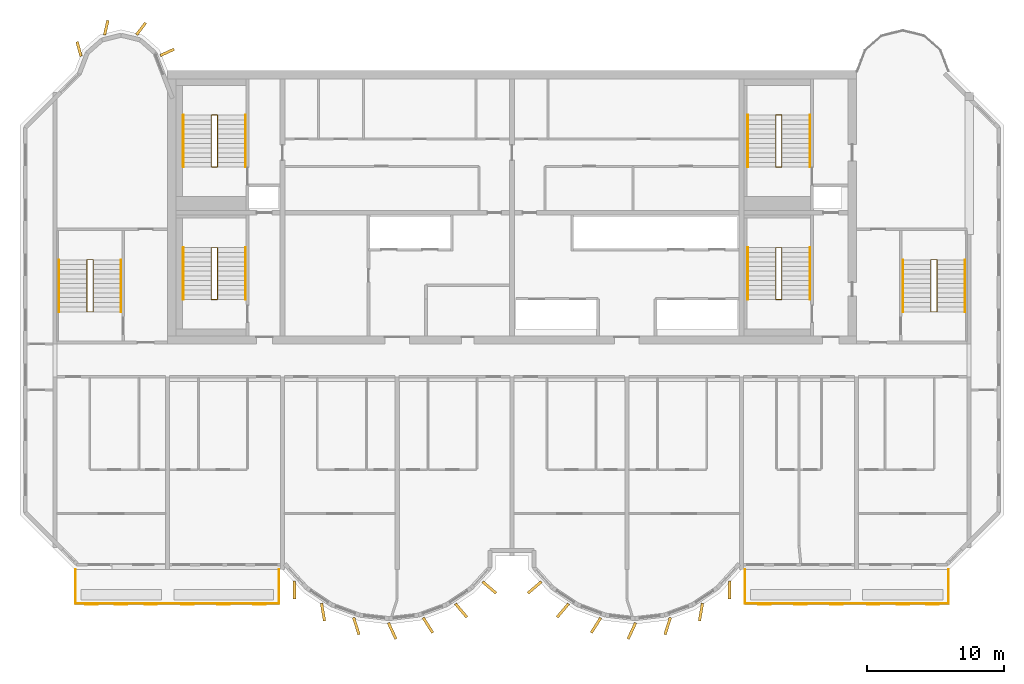
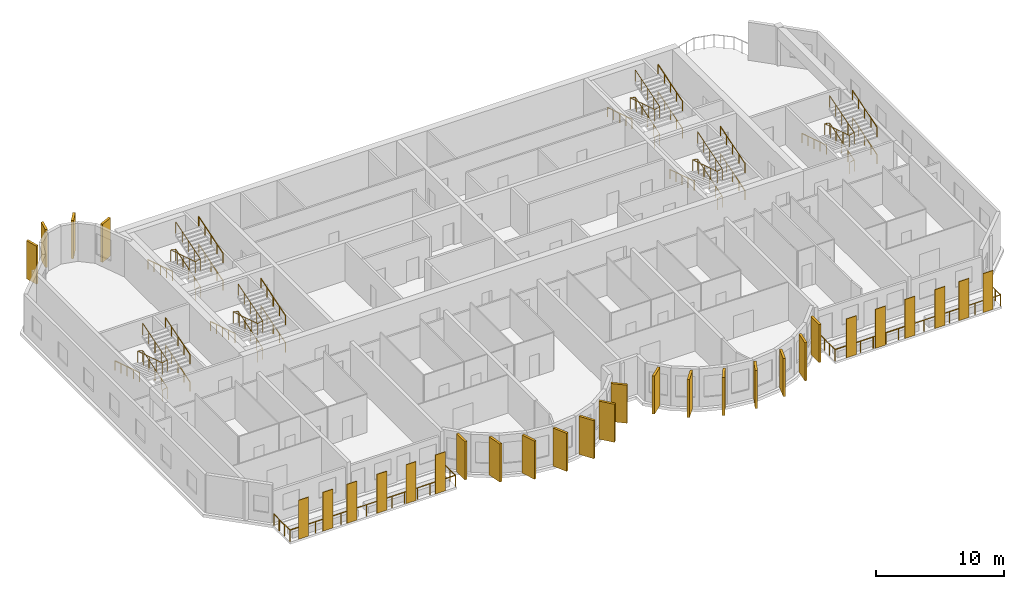
# One storey, part 10 of 12: 30 coverings, 26 railings.
"""IFC4 building model written with IfcOpenShell, lengths in metres."""

from ifc_helpers import new_model, si_unit, direction, frame, origin, origin_2d, place, context, subcontext, project, spatial, rectangle, circle, extrude, source, transform, mapped, material, layer, layer_set, material_profile, profile_set, type_object, element, save


model = new_model("IFC4")

# Units and contexts
model_context = context("Model", 3, precision=1e-05, world=origin(), true_north=direction((0.0, 1.0)))
body_context = subcontext(model_context, "Body", "Model", "MODEL_VIEW")
ifc_project = project(units=[si_unit("LENGTHUNIT", "METRE"), si_unit("AREAUNIT", "SQUARE_METRE"), si_unit("VOLUMEUNIT", "CUBIC_METRE"), si_unit("PLANEANGLEUNIT", "RADIAN"), si_unit("MASSUNIT", "GRAM", prefix="KILO")], contexts=[model_context])

# Site, building, storey
site_placement = place(None, origin())
site = spatial("IfcSite", under=ifc_project, at=site_placement, CompositionType="ELEMENT")
building_placement = place(site_placement, origin())
building = spatial("IfcBuilding", under=site, at=building_placement, Name="Vanashikhar Sky Hotel", CompositionType="ELEMENT")
storey_placement = place(building_placement, frame((0.0, 0.0, 253.0)))
storey = spatial("IfcBuildingStorey", under=building, at=storey_placement, Name="L61", CompositionType="ELEMENT", Elevation=253.0)

# Railings
ifc_material_1 = material(Name="Stainless steel 316", Category="steel")
railing_type_1 = type_object("IfcRailingType", Name="Balcony guard 1100", PredefinedType="GUARDRAIL", material=ifc_material_1)
shared_shape_1 = source(origin(), body_context, "Body", "SweptSolid", [
    extrude(circle(Radius=0.02392578125, at=origin_2d()), frame((0.0, 0.0, 1.076171875), z_axis=(0.0, -1.0, 0.0), x_axis=(1.0, 0.0, 0.0)), (0.0, 0.0, 1.0), 2.5),
    extrude(circle(Radius=0.02392578125, at=origin_2d()), frame((0.0, -2.5, 1.076171875), z_axis=(1.0, 0.0, 0.0), x_axis=(0.0, 1.0, 0.0)), (0.0, 0.0, 1.0), 14.880126953125),
    extrude(circle(Radius=0.02392578125, at=origin_2d()), frame((14.880126953125, -2.5, 1.076171875), z_axis=(0.0, 1.0, 0.0), x_axis=(-1.0, 0.0, 0.0)), (0.0, 0.0, 1.0), 2.5),
    extrude(circle(Radius=0.02099609375, at=origin_2d()), origin(), (0.0, 0.0, 1.0), 1.052001953125),
    extrude(circle(Radius=0.02099609375, at=origin_2d()), frame((0.0, -0.833251953125, 0.0)), (0.0, 0.0, 1.0), 1.052001953125),
    extrude(circle(Radius=0.02099609375, at=origin_2d()), frame((0.0, -1.666748046875, 0.0)), (0.0, 0.0, 1.0), 1.052001953125),
    extrude(circle(Radius=0.02099609375, at=origin_2d()), frame((0.0, -2.5, 0.0)), (0.0, 0.0, 1.0), 1.052001953125),
    extrude(circle(Radius=0.02099609375, at=origin_2d()), frame((1.14453125, -2.5, 0.0)), (0.0, 0.0, 1.0), 1.052001953125),
    extrude(circle(Radius=0.02099609375, at=origin_2d()), frame((2.289306640625, -2.5, 0.0)), (0.0, 0.0, 1.0), 1.052001953125),
    extrude(circle(Radius=0.02099609375, at=origin_2d()), frame((3.433837890625, -2.5, 0.0)), (0.0, 0.0, 1.0), 1.052001953125),
    extrude(circle(Radius=0.02099609375, at=origin_2d()), frame((4.57861328125, -2.5, 0.0)), (0.0, 0.0, 1.0), 1.052001953125),
    extrude(circle(Radius=0.02099609375, at=origin_2d()), frame((5.72314453125, -2.5, 0.0)), (0.0, 0.0, 1.0), 1.052001953125),
    extrude(circle(Radius=0.02099609375, at=origin_2d()), frame((6.86767578125, -2.5, 0.0)), (0.0, 0.0, 1.0), 1.052001953125),
    extrude(circle(Radius=0.02099609375, at=origin_2d()), frame((8.012451171875, -2.5, 0.0)), (0.0, 0.0, 1.0), 1.052001953125),
    extrude(circle(Radius=0.02099609375, at=origin_2d()), frame((9.156982421875, -2.5, 0.0)), (0.0, 0.0, 1.0), 1.052001953125),
    extrude(circle(Radius=0.02099609375, at=origin_2d()), frame((10.301513671875, -2.5, 0.0)), (0.0, 0.0, 1.0), 1.052001953125),
    extrude(circle(Radius=0.02099609375, at=origin_2d()), frame((11.4462890625, -2.5, 0.0)), (0.0, 0.0, 1.0), 1.052001953125),
    extrude(circle(Radius=0.02099609375, at=origin_2d()), frame((12.5908203125, -2.5, 0.0)), (0.0, 0.0, 1.0), 1.052001953125),
    extrude(circle(Radius=0.02099609375, at=origin_2d()), frame((13.735595703125, -2.5, 0.0)), (0.0, 0.0, 1.0), 1.052001953125),
    extrude(circle(Radius=0.02099609375, at=origin_2d()), frame((14.880126953125, -2.5, 0.0)), (0.0, 0.0, 1.0), 1.052001953125),
    extrude(circle(Radius=0.02099609375, at=origin_2d()), frame((14.880126953125, -1.666748046875, 0.0)), (0.0, 0.0, 1.0), 1.052001953125),
    extrude(circle(Radius=0.02099609375, at=origin_2d()), frame((14.880126953125, -0.833251953125, 0.0)), (0.0, 0.0, 1.0), 1.052001953125),
    extrude(circle(Radius=0.02099609375, at=origin_2d()), frame((14.880126953125, 0.0, 0.0)), (0.0, 0.0, 1.0), 1.052001953125),
])
for number, where, name in (
    (1, (18.4599609375, 5.5, -0.050048828125), "Balcony guard"),
    (2, (67.4599609375, 5.5, -0.050048828125), "Balcony guard"),
):
    element("IfcRailing", number, at=place(storey_placement, frame(where)), inside=storey, type_object=railing_type_1, Name=name, PredefinedType="GUARDRAIL", context=body_context, shape_type="MappedRepresentation", body=[
        mapped(shared_shape_1, transform((0.0, 0.0, 0.0), scale=1.0)),
    ])

# Coverings
ifc_material_2 = material(Name="Terracotta", Category="masonry")
ifc_layer = layer(ifc_material_2, 0.06005859375)
ifc_layer_set = layer_set([ifc_layer], Name="Terracotta baguette screen")
covering_type_1 = type_object("IfcCoveringType", Name="Terracotta baguette screen", PredefinedType="CLADDING", material=ifc_layer_set)
shared_shape_2 = source(origin(), body_context, "Body", "SweptSolid", [
    extrude(rectangle(XDim=0.89990234375, YDim=0.06005859375, at=origin_2d()), origin(), (0.0, 0.0, 1.0), 3.699951171875),
])
for number, where, z_axis, x_axis, name in (
    (3, (19.63330078125, 2.929931640625, -0.0498046875), (0.0, 0.0, 1.0), (1.0, 0.0, 0.0), "Terracotta screen"),
    (4, (21.800048828125, 2.929931640625, -0.0498046875), (0.0, 0.0, 1.0), (1.0, 0.0, 0.0), "Terracotta screen"),
    (5, (23.966796875, 2.929931640625, -0.0498046875), (0.0, 0.0, 1.0), (1.0, 0.0, 0.0), "Terracotta screen"),
    (6, (26.666748046875, 2.929931640625, -0.0498046875), (0.0, 0.0, 1.0), (1.0, 0.0, 0.0), "Terracotta screen"),
    (7, (29.300048828125, 2.929931640625, -0.0498046875), (0.0, 0.0, 1.0), (1.0, 0.0, 0.0), "Terracotta screen"),
    (8, (31.933349609375, 2.929931640625, -0.0498046875), (0.0, 0.0, 1.0), (1.0, 0.0, 0.0), "Terracotta screen"),
    (9, (68.86669921875, 2.929931640625, -0.0498046875), (0.0, 0.0, 1.0), (1.0, 0.0, 0.0), "Terracotta screen"),
    (10, (71.5, 2.929931640625, -0.0498046875), (0.0, 0.0, 1.0), (1.0, 0.0, 0.0), "Terracotta screen"),
    (11, (74.13330078125, 2.929931640625, -0.0498046875), (0.0, 0.0, 1.0), (1.0, 0.0, 0.0), "Terracotta screen"),
    (12, (76.833251953125, 2.929931640625, -0.0498046875), (0.0, 0.0, 1.0), (1.0, 0.0, 0.0), "Terracotta screen"),
    (13, (79.0, 2.929931640625, -0.0498046875), (0.0, 0.0, 1.0), (1.0, 0.0, 0.0), "Terracotta screen"),
    (14, (81.166748046875, 2.929931640625, -0.0498046875), (0.0, 0.0, 1.0), (1.0, 0.0, 0.0), "Terracotta screen"),
):
    element("IfcCovering", number, at=place(storey_placement, frame(where, z_axis=z_axis, x_axis=x_axis)), inside=storey, type_object=covering_type_1, Name=name, PredefinedType="CLADDING", context=body_context, shape_type="MappedRepresentation", body=[
        mapped(shared_shape_2, transform((0.0, 0.0, 0.0), scale=1.0)),
    ])
ifc_material_3 = material(Name="Concrete M60 dark", Category="concrete")
ifc_material_profile_1 = material_profile(ifc_material_3, rectangle(XDim=1.300048828125, YDim=0.199951171875, at=origin_2d()))
ifc_profile_set_1 = profile_set([ifc_material_profile_1], Name="Fin 1300 x 200")
covering_type_2 = type_object("IfcCoveringType", Name="Fin 1300 x 200", PredefinedType="CLADDING", material=ifc_profile_set_1)
shared_shape_3 = source(origin(), body_context, "Body", "SweptSolid", [
    extrude(rectangle(XDim=1.300048828125, YDim=0.199951171875, at=origin_2d()), origin(), (0.0, 0.0, 1.0), 3.6201171875),
])
for number, where, z_axis, x_axis, name in (
    (15, (34.482421875, 3.992919921875, 0.0), (0.0, 0.0, 1.0), (0.011588726826, -0.999932848451, 0.0), "Fin F1-1"),
    (16, (36.572509765625, 2.3779296875, 0.0), (0.0, 0.0, 1.0), (0.16989991575, -0.985461322746, 0.0), "Fin F1-2"),
    (17, (39.00830078125, 1.35693359375, 0.0), (0.0, 0.0, 1.0), (0.303966551867, -0.952682704444, 0.0), "Fin F1-3"),
    (18, (41.63232421875, 1.00146484375, 0.0), (0.0, 0.0, 1.0), (0.422618261741, -0.906307787037, 0.0), "Fin F1-4"),
    (19, (44.251953125, 1.416015625, 0.0), (0.0, 0.0, 1.0), (0.534411358496, -0.845224526331, 0.0), "Fin F1-5"),
    (20, (46.676025390625, 2.5, 0.0), (0.0, 0.0, 1.0), (0.645697609467, -0.763593214433, 0.0), "Fin F1-6"),
    (21, (48.7412109375, 4.1845703125, 0.0), (0.0, 0.0, 1.0), (0.758543912032, -0.65162192529, 0.0), "Fin F1-7"),
    (22, (52.058837890625, 4.1845703125, 0.0), (0.0, 0.0, 1.0), (-0.758543912032, -0.65162192529, 0.0), "Fin F2-1"),
    (23, (54.123779296875, 2.5, 0.0), (0.0, 0.0, 1.0), (-0.645697609467, -0.763593214433, 0.0), "Fin F2-2"),
    (24, (56.547119140625, 1.416015625, 0.0), (0.0, 0.0, 1.0), (-0.534411358496, -0.845224526331, 0.0), "Fin F2-3"),
    (25, (59.16748046875, 1.00146484375, 0.0), (0.0, 0.0, 1.0), (-0.422618261741, -0.906307787037, 0.0), "Fin F2-4"),
    (26, (61.790771484375, 1.35693359375, 0.0), (0.0, 0.0, 1.0), (-0.303966551867, -0.952682704444, 0.0), "Fin F2-5"),
    (27, (64.2275390625, 2.3779296875, 0.0), (0.0, 0.0, 1.0), (-0.16989991575, -0.985461322746, 0.0), "Fin F2-6"),
    (28, (66.317626953125, 3.992919921875, 0.0), (0.0, 0.0, 1.0), (-0.011588726826, -0.999932848451, 0.0), "Fin F2-7"),
):
    element("IfcCovering", number, at=place(storey_placement, frame(where, z_axis=z_axis, x_axis=x_axis)), inside=storey, type_object=covering_type_2, Name=name, PredefinedType="CLADDING", context=body_context, shape_type="MappedRepresentation", body=[
        mapped(shared_shape_3, transform((0.0, 0.0, 0.0), scale=1.0)),
    ])
ifc_material_profile_2 = material_profile(ifc_material_3, rectangle(XDim=1.10009765625, YDim=0.199951171875, at=origin_2d()))
ifc_profile_set_2 = profile_set([ifc_material_profile_2], Name="Rear lobe fin 1100 x 200")
covering_type_3 = type_object("IfcCoveringType", Name="Rear lobe fin 1100 x 200", PredefinedType="CLADDING", material=ifc_profile_set_2)
shared_shape_4 = source(origin(), body_context, "Body", "SweptSolid", [
    extrude(rectangle(XDim=1.10009765625, YDim=0.199951171875, at=origin_2d()), origin(), (0.0, 0.0, 1.0), 3.6201171875),
])
for number, where, z_axis, x_axis, name in (
    (29, (18.720703125, 43.580078125, 0.0), (0.0, 0.0, 1.0), (-0.262711264409, 0.964874495234, 0.0), "Fin R1-1"),
    (30, (20.710205078125, 45.1455078125, 0.0), (0.0, 0.0, 1.0), (0.224644935864, 0.974440687159, 0.0), "Fin R1-2"),
    (31, (23.261962890625, 45.06640625, 0.0), (0.0, 0.0, 1.0), (0.602065892195, 0.798446404874, 0.0), "Fin R1-3"),
    (32, (25.169677734375, 43.33447265625, 0.0), (0.0, 0.0, 1.0), (0.908004291068, 0.418960866193, 0.0), "Fin R1-4"),
):
    element("IfcCovering", number, at=place(storey_placement, frame(where, z_axis=z_axis, x_axis=x_axis)), inside=storey, type_object=covering_type_3, Name=name, PredefinedType="CLADDING", context=body_context, shape_type="MappedRepresentation", body=[
        mapped(shared_shape_4, transform((0.0, 0.0, 0.0), scale=1.0)),
    ])

# Railings
ifc_material_4 = material(Name="Steel S355", Category="steel")
railing_type_2 = type_object("IfcRailingType", Name="Stair guard 1100", PredefinedType="GUARDRAIL", material=ifc_material_4)
shared_shape_5 = source(origin(), body_context, "Body", "SweptSolid", [
    extrude(circle(Radius=0.02392578125, at=origin_2d()), frame((0.0, 0.0, 1.076171875), z_axis=(0.972214749574, 0.0, 0.234090753151), x_axis=(0.0, 1.0, 0.0)), (0.0, 0.0, 1.0), 0.463134765625),
    extrude(circle(Radius=0.02392578125, at=origin_2d()), frame((0.4501953125, 0.0, 1.1845703125), z_axis=(0.0, 0.95418390146, 0.299220791714), x_axis=(-1.0, 0.0, 0.0)), (0.0, 0.0, 1.0), 3.982421875),
    extrude(circle(Radius=0.02392578125, at=origin_2d()), frame((0.4501953125, 3.800048828125, 2.3759765625), z_axis=(-0.972214749574, 0.0, 0.234090753151), x_axis=(0.0, -1.0, 0.0)), (0.0, 0.0, 1.0), 0.463134765625),
    extrude(circle(Radius=0.02392578125, at=origin_2d()), frame((0.0, 3.800048828125, 2.484375), z_axis=(0.0, -0.95418390146, 0.299220791714), x_axis=(1.0, 0.0, 0.0)), (0.0, 0.0, 1.0), 3.982421875),
    extrude(circle(Radius=0.02392578125, at=origin_2d()), frame((0.0, 0.0, 3.67626953125), z_axis=(0.972334627364, 0.0, 0.233592320999), x_axis=(0.0, 1.0, 0.0)), (0.0, 0.0, 1.0), 0.462890625),
    extrude(circle(Radius=0.02392578125, at=origin_2d()), frame((0.4501953125, 0.0, 3.7841796875), z_axis=(0.0, 0.95418390146, 0.299220791714), x_axis=(-1.0, 0.0, 0.0)), (0.0, 0.0, 1.0), 3.982421875),
    extrude(circle(Radius=0.02099609375, at=origin_2d()), origin(), (0.0, 0.0, 1.0), 1.052001953125),
    extrude(circle(Radius=0.02099609375, at=origin_2d()), frame((0.4501953125, 0.0, 0.1083984375)), (0.0, 0.0, 1.0), 1.052001953125),
    extrude(circle(Radius=0.02099609375, at=origin_2d()), frame((0.4501953125, 0.949951171875, 0.40625)), (0.0, 0.0, 1.0), 1.052001953125),
    extrude(circle(Radius=0.02099609375, at=origin_2d()), frame((0.4501953125, 1.89990234375, 0.7041015625)), (0.0, 0.0, 1.0), 1.052001953125),
    extrude(circle(Radius=0.02099609375, at=origin_2d()), frame((0.4501953125, 2.85009765625, 1.002197265625)), (0.0, 0.0, 1.0), 1.052001953125),
    extrude(circle(Radius=0.02099609375, at=origin_2d()), frame((0.4501953125, 3.800048828125, 1.300048828125)), (0.0, 0.0, 1.0), 1.052001953125),
    extrude(circle(Radius=0.02099609375, at=origin_2d()), frame((0.0, 3.800048828125, 1.408447265625)), (0.0, 0.0, 1.0), 1.052001953125),
    extrude(circle(Radius=0.02099609375, at=origin_2d()), frame((0.0, 2.85009765625, 1.706298828125)), (0.0, 0.0, 1.0), 1.052001953125),
    extrude(circle(Radius=0.02099609375, at=origin_2d()), frame((0.0, 1.89990234375, 2.00439453125)), (0.0, 0.0, 1.0), 1.052001953125),
    extrude(circle(Radius=0.02099609375, at=origin_2d()), frame((0.0, 0.949951171875, 2.30224609375)), (0.0, 0.0, 1.0), 1.052001953125),
    extrude(circle(Radius=0.02099609375, at=origin_2d()), frame((0.0, 0.0, 2.60009765625)), (0.0, 0.0, 1.0), 1.052001953125),
    extrude(circle(Radius=0.02099609375, at=origin_2d()), frame((0.4501953125, 0.0, 2.708251953125)), (0.0, 0.0, 1.0), 1.052001953125),
    extrude(circle(Radius=0.02099609375, at=origin_2d()), frame((0.4501953125, 0.949951171875, 3.006103515625)), (0.0, 0.0, 1.0), 1.052001953125),
    extrude(circle(Radius=0.02099609375, at=origin_2d()), frame((0.4501953125, 1.89990234375, 3.30419921875)), (0.0, 0.0, 1.0), 1.052001953125),
    extrude(circle(Radius=0.02099609375, at=origin_2d()), frame((0.4501953125, 2.85009765625, 3.60205078125)), (0.0, 0.0, 1.0), 1.052001953125),
    extrude(circle(Radius=0.02099609375, at=origin_2d()), frame((0.4501953125, 3.800048828125, 3.89990234375)), (0.0, 0.0, 1.0), 1.052001953125),
])
for number, where, name in (
    (33, (28.39990234375, 25.25, 0.0), "Exit stair 1 guard"),
    (34, (28.39990234375, 34.949951171875, 0.0), "Exit stair 5 guard"),
):
    element("IfcRailing", number, at=place(storey_placement, frame(where)), inside=storey, type_object=railing_type_2, Name=name, PredefinedType="GUARDRAIL", context=body_context, shape_type="MappedRepresentation", body=[
        mapped(shared_shape_5, transform((0.0, 0.0, 0.0), scale=1.0)),
    ])
railing_type_3 = type_object("IfcRailingType", Name="Stair handrail 900", PredefinedType="HANDRAIL", material=ifc_material_4)
shared_shape_6 = source(origin(), body_context, "Body", "SweptSolid", [
    extrude(circle(Radius=0.02392578125, at=origin_2d()), frame((0.0, 0.0, 0.8759765625), z_axis=(0.0, 0.95418390146, 0.299220791714), x_axis=(-1.0, 0.0, 0.0)), (0.0, 0.0, 1.0), 3.982421875),
    extrude(circle(Radius=0.02099609375, at=origin_2d()), origin(), (0.0, 0.0, 1.0), 0.851806640625),
    extrude(circle(Radius=0.02099609375, at=origin_2d()), frame((0.0, 0.949951171875, 0.2978515625)), (0.0, 0.0, 1.0), 0.851806640625),
    extrude(circle(Radius=0.02099609375, at=origin_2d()), frame((0.0, 1.89990234375, 0.595703125)), (0.0, 0.0, 1.0), 0.851806640625),
    extrude(circle(Radius=0.02099609375, at=origin_2d()), frame((0.0, 2.85009765625, 0.893798828125)), (0.0, 0.0, 1.0), 0.851806640625),
    extrude(circle(Radius=0.02099609375, at=origin_2d()), frame((0.0, 3.800048828125, 1.191650390625)), (0.0, 0.0, 1.0), 0.851806640625),
])
for number, where, name in (
    (35, (30.89990234375, 25.25, 0.1083984375), "Exit stair 1 handrail"),
    (36, (30.89990234375, 25.25, 2.708251953125), "Exit stair 1 handrail"),
    (37, (72.199951171875, 25.25, 0.1083984375), "Exit stair 2 handrail"),
    (38, (72.199951171875, 25.25, 2.708251953125), "Exit stair 2 handrail"),
    (39, (30.89990234375, 34.949951171875, 0.1083984375), "Exit stair 5 handrail"),
    (40, (30.89990234375, 34.949951171875, 2.708251953125), "Exit stair 5 handrail"),
    (41, (72.199951171875, 34.949951171875, 0.1083984375), "Exit stair 6 handrail"),
    (42, (72.199951171875, 34.949951171875, 2.708251953125), "Exit stair 6 handrail"),
):
    element("IfcRailing", number, at=place(storey_placement, frame(where)), inside=storey, type_object=railing_type_3, Name=name, PredefinedType="HANDRAIL", context=body_context, shape_type="MappedRepresentation", body=[
        mapped(shared_shape_6, transform((0.0, 0.0, 0.0), scale=1.0)),
    ])
shared_shape_7 = source(origin(), body_context, "Body", "SweptSolid", [
    extrude(circle(Radius=0.02392578125, at=origin_2d()), frame((0.0, 0.0, 0.8759765625), z_axis=(0.0, -0.95418390146, 0.299220791714), x_axis=(1.0, 0.0, 0.0)), (0.0, 0.0, 1.0), 3.982421875),
    extrude(circle(Radius=0.02099609375, at=origin_2d()), origin(), (0.0, 0.0, 1.0), 0.851806640625),
    extrude(circle(Radius=0.02099609375, at=origin_2d()), frame((0.0, -0.949951171875, 0.2978515625)), (0.0, 0.0, 1.0), 0.851806640625),
    extrude(circle(Radius=0.02099609375, at=origin_2d()), frame((0.0, -1.89990234375, 0.595703125)), (0.0, 0.0, 1.0), 0.851806640625),
    extrude(circle(Radius=0.02099609375, at=origin_2d()), frame((0.0, -2.85009765625, 0.893798828125)), (0.0, 0.0, 1.0), 0.851806640625),
    extrude(circle(Radius=0.02099609375, at=origin_2d()), frame((0.0, -3.800048828125, 1.191650390625)), (0.0, 0.0, 1.0), 0.851806640625),
])
for number, where, name in (
    (43, (26.35009765625, 29.050048828125, 1.408447265625), "Exit stair 1 handrail"),
    (44, (67.64990234375, 29.050048828125, 1.408447265625), "Exit stair 2 handrail"),
    (45, (26.35009765625, 38.75, 1.408447265625), "Exit stair 5 handrail"),
    (46, (67.64990234375, 38.75, 1.408447265625), "Exit stair 6 handrail"),
):
    element("IfcRailing", number, at=place(storey_placement, frame(where)), inside=storey, type_object=railing_type_3, Name=name, PredefinedType="HANDRAIL", context=body_context, shape_type="MappedRepresentation", body=[
        mapped(shared_shape_7, transform((0.0, 0.0, 0.0), scale=1.0)),
    ])
shared_shape_8 = source(origin(), body_context, "Body", "SweptSolid", [
    extrude(circle(Radius=0.02392578125, at=origin_2d()), frame((0.0, 0.0, 1.076171875), z_axis=(0.972185835864, 0.0, 0.234210803648), x_axis=(0.0, 1.0, 0.0)), (0.0, 0.0, 1.0), 0.462890625),
    extrude(circle(Radius=0.02392578125, at=origin_2d()), frame((0.449951171875, 0.0, 1.1845703125), z_axis=(0.0, 0.95418390146, 0.299220791714), x_axis=(-1.0, 0.0, 0.0)), (0.0, 0.0, 1.0), 3.982421875),
    extrude(circle(Radius=0.02392578125, at=origin_2d()), frame((0.449951171875, 3.800048828125, 2.3759765625), z_axis=(-0.972185835864, 0.0, 0.234210803648), x_axis=(0.0, -1.0, 0.0)), (0.0, 0.0, 1.0), 0.462890625),
    extrude(circle(Radius=0.02392578125, at=origin_2d()), frame((0.0, 3.800048828125, 2.484375), z_axis=(0.0, -0.95418390146, 0.299220791714), x_axis=(1.0, 0.0, 0.0)), (0.0, 0.0, 1.0), 3.982421875),
    extrude(circle(Radius=0.02392578125, at=origin_2d()), frame((0.0, 0.0, 3.67626953125), z_axis=(0.972305833095, 0.0, 0.233712145448), x_axis=(0.0, 1.0, 0.0)), (0.0, 0.0, 1.0), 0.462646484375),
    extrude(circle(Radius=0.02392578125, at=origin_2d()), frame((0.449951171875, 0.0, 3.7841796875), z_axis=(0.0, 0.95418390146, 0.299220791714), x_axis=(-1.0, 0.0, 0.0)), (0.0, 0.0, 1.0), 3.982421875),
    extrude(circle(Radius=0.02099609375, at=origin_2d()), origin(), (0.0, 0.0, 1.0), 1.052001953125),
    extrude(circle(Radius=0.02099609375, at=origin_2d()), frame((0.449951171875, 0.0, 0.1083984375)), (0.0, 0.0, 1.0), 1.052001953125),
    extrude(circle(Radius=0.02099609375, at=origin_2d()), frame((0.449951171875, 0.949951171875, 0.40625)), (0.0, 0.0, 1.0), 1.052001953125),
    extrude(circle(Radius=0.02099609375, at=origin_2d()), frame((0.449951171875, 1.89990234375, 0.7041015625)), (0.0, 0.0, 1.0), 1.052001953125),
    extrude(circle(Radius=0.02099609375, at=origin_2d()), frame((0.449951171875, 2.85009765625, 1.002197265625)), (0.0, 0.0, 1.0), 1.052001953125),
    extrude(circle(Radius=0.02099609375, at=origin_2d()), frame((0.449951171875, 3.800048828125, 1.300048828125)), (0.0, 0.0, 1.0), 1.052001953125),
    extrude(circle(Radius=0.02099609375, at=origin_2d()), frame((0.0, 3.800048828125, 1.408447265625)), (0.0, 0.0, 1.0), 1.052001953125),
    extrude(circle(Radius=0.02099609375, at=origin_2d()), frame((0.0, 2.85009765625, 1.706298828125)), (0.0, 0.0, 1.0), 1.052001953125),
    extrude(circle(Radius=0.02099609375, at=origin_2d()), frame((0.0, 1.89990234375, 2.00439453125)), (0.0, 0.0, 1.0), 1.052001953125),
    extrude(circle(Radius=0.02099609375, at=origin_2d()), frame((0.0, 0.949951171875, 2.30224609375)), (0.0, 0.0, 1.0), 1.052001953125),
    extrude(circle(Radius=0.02099609375, at=origin_2d()), frame((0.0, 0.0, 2.60009765625)), (0.0, 0.0, 1.0), 1.052001953125),
    extrude(circle(Radius=0.02099609375, at=origin_2d()), frame((0.449951171875, 0.0, 2.708251953125)), (0.0, 0.0, 1.0), 1.052001953125),
    extrude(circle(Radius=0.02099609375, at=origin_2d()), frame((0.449951171875, 0.949951171875, 3.006103515625)), (0.0, 0.0, 1.0), 1.052001953125),
    extrude(circle(Radius=0.02099609375, at=origin_2d()), frame((0.449951171875, 1.89990234375, 3.30419921875)), (0.0, 0.0, 1.0), 1.052001953125),
    extrude(circle(Radius=0.02099609375, at=origin_2d()), frame((0.449951171875, 2.85009765625, 3.60205078125)), (0.0, 0.0, 1.0), 1.052001953125),
    extrude(circle(Radius=0.02099609375, at=origin_2d()), frame((0.449951171875, 3.800048828125, 3.89990234375)), (0.0, 0.0, 1.0), 1.052001953125),
])
for number, where, name in (
    (47, (69.699951171875, 25.25, 0.0), "Exit stair 2 guard"),
    (48, (69.699951171875, 34.949951171875, 0.0), "Exit stair 6 guard"),
):
    element("IfcRailing", number, at=place(storey_placement, frame(where)), inside=storey, type_object=railing_type_2, Name=name, PredefinedType="GUARDRAIL", context=body_context, shape_type="MappedRepresentation", body=[
        mapped(shared_shape_8, transform((0.0, 0.0, 0.0), scale=1.0)),
    ])
shared_shape_9 = source(origin(), body_context, "Body", "SweptSolid", [
    extrude(circle(Radius=0.02392578125, at=origin_2d()), frame((0.0, 0.0, 1.076171875), z_axis=(0.972185835864, 0.0, 0.234210803648), x_axis=(0.0, 1.0, 0.0)), (0.0, 0.0, 1.0), 0.462890625),
    extrude(circle(Radius=0.02392578125, at=origin_2d()), frame((0.449951171875, 0.0, 1.1845703125), z_axis=(0.0, 0.954178412317, 0.299238295459), x_axis=(-1.0, 0.0, 0.0)), (0.0, 0.0, 1.0), 3.982177734375),
    extrude(circle(Radius=0.02392578125, at=origin_2d()), frame((0.449951171875, 3.7998046875, 2.3759765625), z_axis=(-0.972185835864, 0.0, 0.234210803648), x_axis=(0.0, -1.0, 0.0)), (0.0, 0.0, 1.0), 0.462890625),
    extrude(circle(Radius=0.02392578125, at=origin_2d()), frame((0.0, 3.7998046875, 2.484375), z_axis=(0.0, -0.954178412317, 0.299238295459), x_axis=(1.0, 0.0, 0.0)), (0.0, 0.0, 1.0), 3.982177734375),
    extrude(circle(Radius=0.02392578125, at=origin_2d()), frame((0.0, 0.0, 3.67626953125), z_axis=(0.972305833095, 0.0, 0.233712145448), x_axis=(0.0, 1.0, 0.0)), (0.0, 0.0, 1.0), 0.462646484375),
    extrude(circle(Radius=0.02392578125, at=origin_2d()), frame((0.449951171875, 0.0, 3.7841796875), z_axis=(0.0, 0.954178412317, 0.299238295459), x_axis=(-1.0, 0.0, 0.0)), (0.0, 0.0, 1.0), 3.982177734375),
    extrude(circle(Radius=0.02099609375, at=origin_2d()), origin(), (0.0, 0.0, 1.0), 1.052001953125),
    extrude(circle(Radius=0.02099609375, at=origin_2d()), frame((0.449951171875, 0.0, 0.1083984375)), (0.0, 0.0, 1.0), 1.052001953125),
    extrude(circle(Radius=0.02099609375, at=origin_2d()), frame((0.449951171875, 0.949951171875, 0.40625)), (0.0, 0.0, 1.0), 1.052001953125),
    extrude(circle(Radius=0.02099609375, at=origin_2d()), frame((0.449951171875, 1.89990234375, 0.7041015625)), (0.0, 0.0, 1.0), 1.052001953125),
    extrude(circle(Radius=0.02099609375, at=origin_2d()), frame((0.449951171875, 2.849853515625, 1.002197265625)), (0.0, 0.0, 1.0), 1.052001953125),
    extrude(circle(Radius=0.02099609375, at=origin_2d()), frame((0.449951171875, 3.7998046875, 1.300048828125)), (0.0, 0.0, 1.0), 1.052001953125),
    extrude(circle(Radius=0.02099609375, at=origin_2d()), frame((0.0, 3.7998046875, 1.408447265625)), (0.0, 0.0, 1.0), 1.052001953125),
    extrude(circle(Radius=0.02099609375, at=origin_2d()), frame((0.0, 2.849853515625, 1.706298828125)), (0.0, 0.0, 1.0), 1.052001953125),
    extrude(circle(Radius=0.02099609375, at=origin_2d()), frame((0.0, 1.89990234375, 2.00439453125)), (0.0, 0.0, 1.0), 1.052001953125),
    extrude(circle(Radius=0.02099609375, at=origin_2d()), frame((0.0, 0.949951171875, 2.30224609375)), (0.0, 0.0, 1.0), 1.052001953125),
    extrude(circle(Radius=0.02099609375, at=origin_2d()), frame((0.0, 0.0, 2.60009765625)), (0.0, 0.0, 1.0), 1.052001953125),
    extrude(circle(Radius=0.02099609375, at=origin_2d()), frame((0.449951171875, 0.0, 2.708251953125)), (0.0, 0.0, 1.0), 1.052001953125),
    extrude(circle(Radius=0.02099609375, at=origin_2d()), frame((0.449951171875, 0.949951171875, 3.006103515625)), (0.0, 0.0, 1.0), 1.052001953125),
    extrude(circle(Radius=0.02099609375, at=origin_2d()), frame((0.449951171875, 1.89990234375, 3.30419921875)), (0.0, 0.0, 1.0), 1.052001953125),
    extrude(circle(Radius=0.02099609375, at=origin_2d()), frame((0.449951171875, 2.849853515625, 3.60205078125)), (0.0, 0.0, 1.0), 1.052001953125),
    extrude(circle(Radius=0.02099609375, at=origin_2d()), frame((0.449951171875, 3.7998046875, 3.89990234375)), (0.0, 0.0, 1.0), 1.052001953125),
])
for number, where, name in (
    (49, (19.300048828125, 24.35009765625, 0.0), "Exit stair 3 guard"),
    (50, (81.050048828125, 24.35009765625, 0.0), "Exit stair 4 guard"),
):
    element("IfcRailing", number, at=place(storey_placement, frame(where)), inside=storey, type_object=railing_type_2, Name=name, PredefinedType="GUARDRAIL", context=body_context, shape_type="MappedRepresentation", body=[
        mapped(shared_shape_9, transform((0.0, 0.0, 0.0), scale=1.0)),
    ])
shared_shape_10 = source(origin(), body_context, "Body", "SweptSolid", [
    extrude(circle(Radius=0.02392578125, at=origin_2d()), frame((0.0, 0.0, 0.8759765625), z_axis=(0.0, 0.954178412317, 0.299238295459), x_axis=(-1.0, 0.0, 0.0)), (0.0, 0.0, 1.0), 3.982177734375),
    extrude(circle(Radius=0.02099609375, at=origin_2d()), origin(), (0.0, 0.0, 1.0), 0.851806640625),
    extrude(circle(Radius=0.02099609375, at=origin_2d()), frame((0.0, 0.949951171875, 0.2978515625)), (0.0, 0.0, 1.0), 0.851806640625),
    extrude(circle(Radius=0.02099609375, at=origin_2d()), frame((0.0, 1.89990234375, 0.595703125)), (0.0, 0.0, 1.0), 0.851806640625),
    extrude(circle(Radius=0.02099609375, at=origin_2d()), frame((0.0, 2.849853515625, 0.893798828125)), (0.0, 0.0, 1.0), 0.851806640625),
    extrude(circle(Radius=0.02099609375, at=origin_2d()), frame((0.0, 3.7998046875, 1.191650390625)), (0.0, 0.0, 1.0), 0.851806640625),
])
for number, where, name in (
    (51, (21.800048828125, 24.35009765625, 0.1083984375), "Exit stair 3 handrail"),
    (52, (21.800048828125, 24.35009765625, 2.708251953125), "Exit stair 3 handrail"),
    (53, (83.550048828125, 24.35009765625, 0.1083984375), "Exit stair 4 handrail"),
    (54, (83.550048828125, 24.35009765625, 2.708251953125), "Exit stair 4 handrail"),
):
    element("IfcRailing", number, at=place(storey_placement, frame(where)), inside=storey, type_object=railing_type_3, Name=name, PredefinedType="HANDRAIL", context=body_context, shape_type="MappedRepresentation", body=[
        mapped(shared_shape_10, transform((0.0, 0.0, 0.0), scale=1.0)),
    ])
shared_shape_11 = source(origin(), body_context, "Body", "SweptSolid", [
    extrude(circle(Radius=0.02392578125, at=origin_2d()), frame((0.0, 0.0, 0.8759765625), z_axis=(0.0, -0.954178412317, 0.299238295459), x_axis=(1.0, 0.0, 0.0)), (0.0, 0.0, 1.0), 3.982177734375),
    extrude(circle(Radius=0.02099609375, at=origin_2d()), origin(), (0.0, 0.0, 1.0), 0.851806640625),
    extrude(circle(Radius=0.02099609375, at=origin_2d()), frame((0.0, -0.949951171875, 0.2978515625)), (0.0, 0.0, 1.0), 0.851806640625),
    extrude(circle(Radius=0.02099609375, at=origin_2d()), frame((0.0, -1.89990234375, 0.595703125)), (0.0, 0.0, 1.0), 0.851806640625),
    extrude(circle(Radius=0.02099609375, at=origin_2d()), frame((0.0, -2.849853515625, 0.893798828125)), (0.0, 0.0, 1.0), 0.851806640625),
    extrude(circle(Radius=0.02099609375, at=origin_2d()), frame((0.0, -3.7998046875, 1.191650390625)), (0.0, 0.0, 1.0), 0.851806640625),
])
for number, where, name in (
    (55, (17.25, 28.14990234375, 1.408447265625), "Exit stair 3 handrail"),
    (56, (79.0, 28.14990234375, 1.408447265625), "Exit stair 4 handrail"),
):
    element("IfcRailing", number, at=place(storey_placement, frame(where)), inside=storey, type_object=railing_type_3, Name=name, PredefinedType="HANDRAIL", context=body_context, shape_type="MappedRepresentation", body=[
        mapped(shared_shape_11, transform((0.0, 0.0, 0.0), scale=1.0)),
    ])

save(model, "model.ifc")
